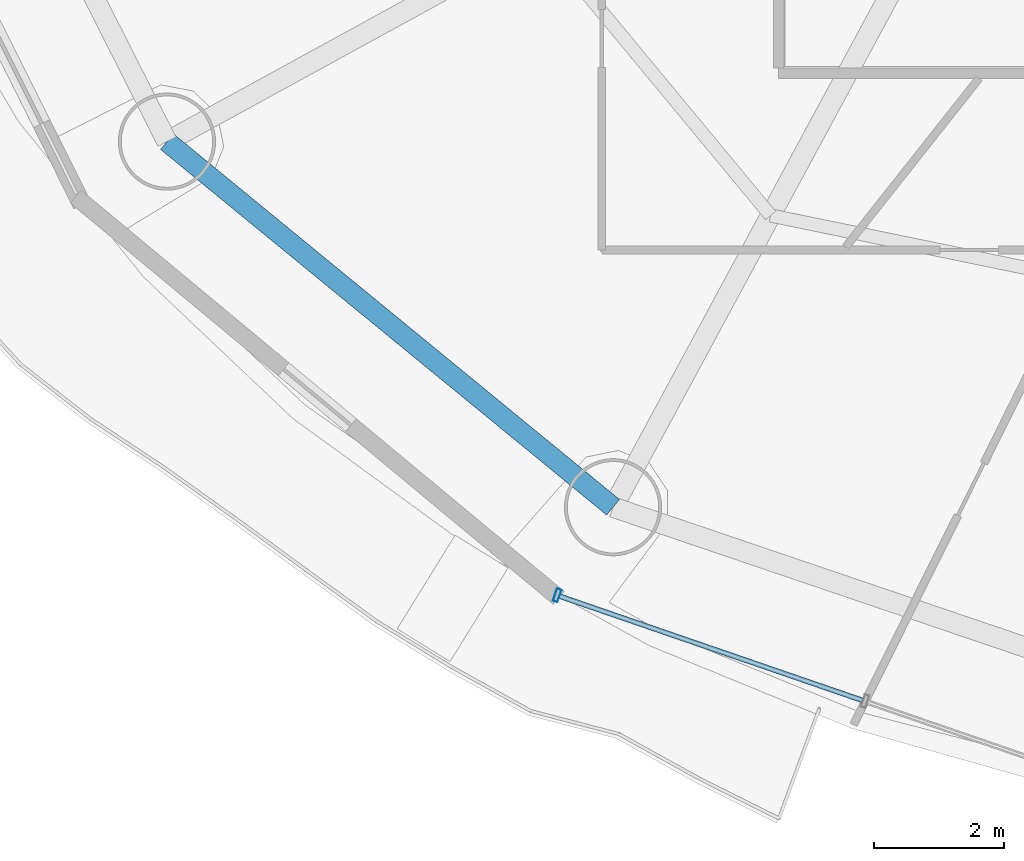
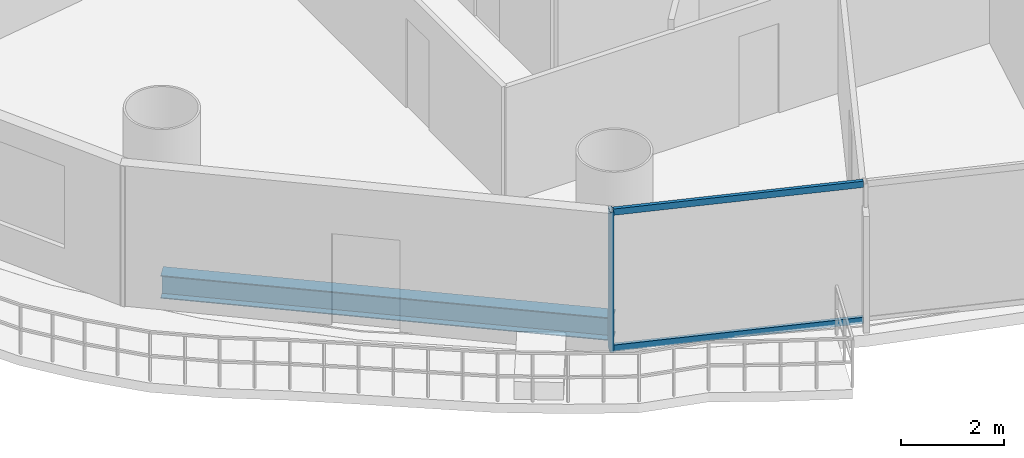
# One storey, part 2 of 29: 3 members, 1 beam, 1 element without a shape of its own.
"""IFC4 building model written with IfcOpenShell, lengths in metres."""

from ifc_helpers import new_model, si_unit, direction, frame, origin, origin_2d, place, context, subcontext, project, spatial, hollow_rectangle, i_section, extrude, source, transform, mapped, material, material_profile, profile_set, type_object, element, aggregate, save


model = new_model("IFC4")

# Units and contexts
model_context = context("Model", 3, precision=1e-05, world=origin(), true_north=direction((-0.2419218956, 0.970295726276)))
body_context = subcontext(model_context, "Body", "Model", "MODEL_VIEW")
ifc_project = project(units=[si_unit("LENGTHUNIT", "METRE"), si_unit("AREAUNIT", "SQUARE_METRE"), si_unit("VOLUMEUNIT", "CUBIC_METRE"), si_unit("PLANEANGLEUNIT", "RADIAN"), si_unit("MASSUNIT", "GRAM", prefix="KILO")], contexts=[model_context])

# Site, building, storey
site_placement = place(None, origin())
site = spatial("IfcSite", under=ifc_project, at=site_placement, CompositionType="ELEMENT")
building_placement = place(site_placement, origin())
building = spatial("IfcBuilding", under=site, at=building_placement, Name="Cobrevalo Terracotta Tower", CompositionType="ELEMENT")
storey_placement = place(building_placement, frame((0.0, 0.0, 79.800048828125)))
storey = spatial("IfcBuildingStorey", under=building, at=storey_placement, Name="L20", CompositionType="ELEMENT", Elevation=79.800048828125)

# Beam
ifc_material_1 = material(Name="Steel S355", Category="steel")
ifc_material_profile_1 = material_profile(ifc_material_1, i_section(OverallWidth=0.31201171875, OverallDepth=0.54296875, WebThickness=0.0126953125, FlangeThickness=0.020263671875, at=origin_2d()), Name="W 530x150")
ifc_profile_set_1 = profile_set([ifc_material_profile_1], Name="Steel S355")
beam_type = type_object("IfcBeamType", Name="Structural Spandrel W 530x150 (Steel S355)", PredefinedType="SPANDREL", material=ifc_profile_set_1)
beam_placement = place(storey_placement, frame((17.2548828125, 15.4384765625, -0.546630859375), z_axis=(0.773400923541, -0.633917196064, 0.0), x_axis=(0.633917196064, 0.773400923541, 0.0)))
element("IfcBeam", 1, at=beam_placement, inside=storey, type_object=beam_type, Name="L20 perimeter ring spandrel 10", PredefinedType="SPANDREL", context=body_context, shape_type="SweptSolid", body=[
    extrude(i_section(OverallWidth=0.31201171875, OverallDepth=0.54296875, WebThickness=0.0126953125, FlangeThickness=0.020263671875, at=origin_2d()), origin(), (0.0, 0.0, 1.0), 8.900390625),
])

# Curtain wall, members
ifc_material_2 = material(Name="Anodized aluminium", Category="aluminium")
curtain_wall_type = type_object("IfcCurtainWallType", Name="Lower-tower unitised acoustic low-E curtain wall CW-U1", PredefinedType="NOTDEFINED", material=ifc_material_2)
curtain_wall_placement = place(storey_placement, origin())
curtain_wall = element("IfcCurtainWall", 2, at=curtain_wall_placement, inside=storey, type_object=curtain_wall_type, Name="L20 curtain wall CW-L20-S11", PredefinedType="NOTDEFINED")
ifc_material_profile_2 = material_profile(ifc_material_2, hollow_rectangle(XDim=0.074951171875, YDim=0.199951171875, WallThickness=0.0048828125, at=origin_2d()), Name="CWM 75x200")
ifc_profile_set_2 = profile_set([ifc_material_profile_2], Name="Anodized aluminium")
member_type_1 = type_object("IfcMemberType", Name="Lower/mid tower unitised mullion 75x200", PredefinedType="MULLION", material=ifc_profile_set_2)
shared_shape_1 = source(origin(), body_context, "Body", "SweptSolid", [
    extrude(hollow_rectangle(XDim=0.074951171875, YDim=0.199951171875, WallThickness=0.0048828125, at=origin_2d()), origin(), (0.0, 0.0, 1.0), 3.324951171875),
])
member_1_placement = place(storey_placement, frame((23.2763671875, 8.4365234375, 0.0), z_axis=(0.0, 0.0, 1.0), x_axis=(0.94559809868, -0.325337110968, 0.0)))
member_1 = element("IfcMember", 3, at=member_1_placement, type_object=member_type_1, Name="CW-L20-S11 vertical mullion 01", PredefinedType="MULLION", context=body_context, shape_type="MappedRepresentation", body=[
    mapped(shared_shape_1, transform((0.0, 0.0, 0.0), scale=1.0)),
])
ifc_material_profile_3 = material_profile(ifc_material_2, hollow_rectangle(XDim=0.074951171875, YDim=0.14990234375, WallThickness=0.00439453125, at=origin_2d()), Name="CWT 75x150")
ifc_profile_set_3 = profile_set([ifc_material_profile_3], Name="Anodized aluminium")
member_type_2 = type_object("IfcMemberType", Name="Tower unitised aluminium transom 75x150", PredefinedType="USERDEFINED", material=ifc_profile_set_3)
shared_shape_2 = source(origin(), body_context, "Body", "SweptSolid", [
    extrude(hollow_rectangle(XDim=0.074951171875, YDim=0.14990234375, WallThickness=0.00439453125, at=origin_2d()), origin(), (0.0, 0.0, 1.0), 4.944580078125),
])
member_2_placement = place(storey_placement, frame((23.314208984375, 8.42333984375, 0.050048828125), z_axis=(0.945597859971, -0.32533780478, 0.0), x_axis=(0.32533780478, 0.945597859971, 0.0)))
member_2 = element("IfcMember", 4, at=member_2_placement, type_object=member_type_2, Name="CW-L20-S11 transom B01-T1", ObjectType="TRANSOM", PredefinedType="USERDEFINED", context=body_context, shape_type="MappedRepresentation", body=[
    mapped(shared_shape_2, transform((0.0, 0.0, 0.0), scale=1.0)),
])
member_3_placement = place(storey_placement, frame((23.314208984375, 8.42333984375, 3.27490234375), z_axis=(0.945597859971, -0.32533780478, 0.0), x_axis=(0.32533780478, 0.945597859971, 0.0)))
member_3 = element("IfcMember", 5, at=member_3_placement, type_object=member_type_2, Name="CW-L20-S11 transom B01-T2", ObjectType="TRANSOM", PredefinedType="USERDEFINED", context=body_context, shape_type="MappedRepresentation", body=[
    mapped(shared_shape_2, transform((0.0, 0.0, 0.0), scale=1.0)),
])
aggregate(curtain_wall, [member_1, member_2, member_3])

save(model, "model.ifc")
